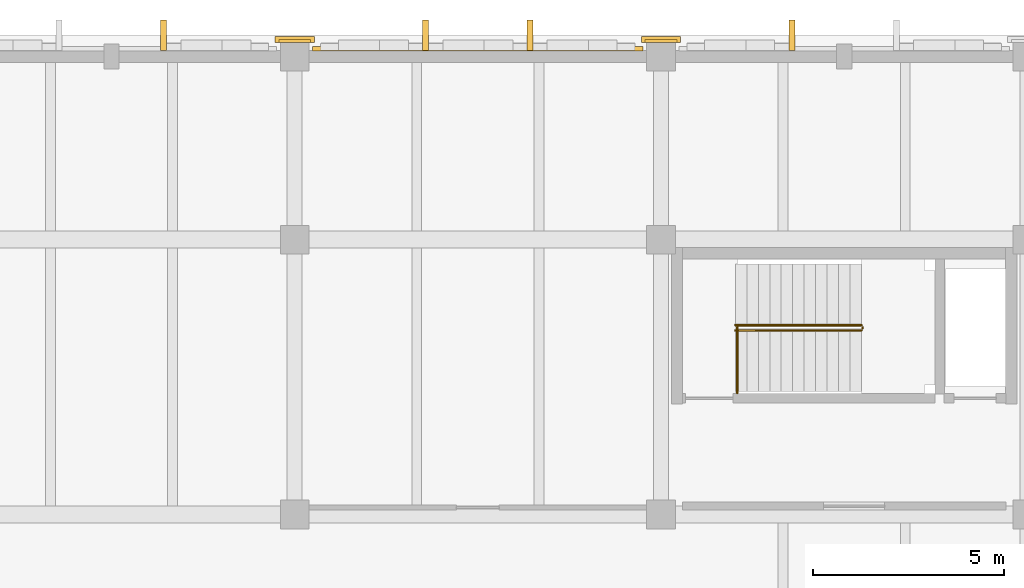
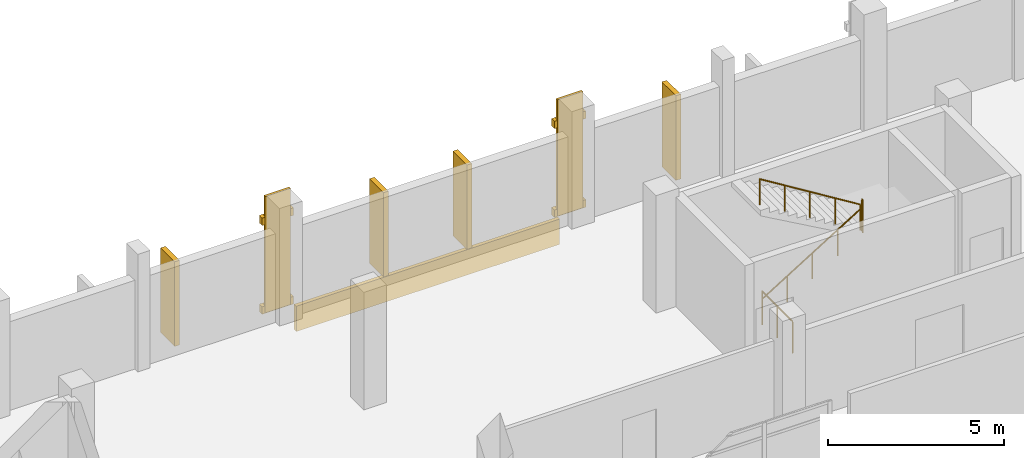
# One storey, part 172 of 180: 11 coverings, 4 railings.
"""IFC4 building model written with IfcOpenShell, lengths in metres."""

from ifc_helpers import new_model, si_unit, direction, frame, origin, origin_2d, place, context, subcontext, project, spatial, rectangle, circle, extrude, material, layer, layer_set, type_object, element, save


model = new_model("IFC4")

# Units and contexts
model_context = context("Model", 3, precision=1e-05, world=origin(), true_north=direction((0.0, 1.0)))
body_context = subcontext(model_context, "Body", "Model", "MODEL_VIEW")
ifc_project = project(units=[si_unit("LENGTHUNIT", "METRE"), si_unit("AREAUNIT", "SQUARE_METRE"), si_unit("VOLUMEUNIT", "CUBIC_METRE"), si_unit("PLANEANGLEUNIT", "RADIAN"), si_unit("MASSUNIT", "GRAM", prefix="KILO")], contexts=[model_context])

# Site, building, storey
site_placement = place(None, origin())
site = spatial("IfcSite", under=ifc_project, at=site_placement, CompositionType="ELEMENT")
building_placement = place(site_placement, origin())
building = spatial("IfcBuilding", under=site, at=building_placement, Name="Asteropetra Specialist Clinic", CompositionType="ELEMENT")
storey_placement = place(building_placement, frame((0.0, 0.0, 4.419921875)))
storey = spatial("IfcBuildingStorey", under=building, at=storey_placement, Name="L01", CompositionType="ELEMENT", Elevation=4.419921875)

# Coverings
ifc_material_1 = material(Name="Chevron terracotta deep", Category="masonry")
ifc_layer_1 = layer(ifc_material_1, 0.1201171875)
ifc_layer_set_1 = layer_set([ifc_layer_1], Name="Chevron terracotta deep")
covering_type_1 = type_object("IfcCoveringType", Name="CLD-TER-DEEP", PredefinedType="CLADDING", material=ifc_layer_set_1)
covering_1_placement = place(storey_placement, frame((24.0, 110.60009765625, -0.7998046875), z_axis=(0.0, 0.0, 1.0), x_axis=(1.0, 0.0, 0.0)))
element("IfcCovering", 1, at=covering_1_placement, inside=storey, type_object=covering_type_1, Name="Chevron Spandrel Band CV-1411", PredefinedType="CLADDING", context=body_context, shape_type="SweptSolid", body=[
    extrude(rectangle(XDim=8.64990234375, YDim=0.1201171875, at=origin_2d()), origin(), (0.0, 0.0, 1.0), 0.8798828125),
])
ifc_material_2 = material(Name="Pentelic marble ashlar", Category="masonry")
ifc_layer_2 = layer(ifc_material_2, 0.159912109375)
ifc_layer_set_2 = layer_set([ifc_layer_2], Name="Pentelic marble ashlar")
covering_type_2 = type_object("IfcCoveringType", Name="CRN-ENTAB-600", PredefinedType="MOLDING", material=ifc_layer_set_2)
covering_2_placement = place(storey_placement, frame((19.199951171875, 110.806884765625, 0.02001953125), z_axis=(0.0, 0.0, 1.0), x_axis=(1.0, 0.0, 0.0)))
element("IfcCovering", 2, at=covering_2_placement, inside=storey, type_object=covering_type_2, Name="Neoclassical Pilaster Facing CM-0589", PredefinedType="MOLDING", context=body_context, shape_type="SweptSolid", body=[
    extrude(rectangle(XDim=0.830078125, YDim=0.080078125, at=origin_2d()), origin(), (0.0, 0.0, 1.0), 4.0400390625),
])
for number, where, z_axis, x_axis, name in (
    (3, (19.199951171875, 110.846923828125, 0.01025390625), (0.0, 0.0, 1.0), (1.0, 0.0, 0.0), "Doric Base CC-0590"),
    (4, (19.199951171875, 110.846923828125, 3.08984375), (0.0, 0.0, 1.0), (1.0, 0.0, 0.0), "Doric Capital CC-0591"),
):
    element("IfcCovering", number, at=place(storey_placement, frame(where, z_axis=z_axis, x_axis=x_axis)), inside=storey, type_object=covering_type_2, Name=name, PredefinedType="MOLDING", context=body_context, shape_type="SweptSolid", body=[
        extrude(rectangle(XDim=1.030029296875, YDim=0.159912109375, at=origin_2d()), origin(), (0.0, 0.0, 1.0), 0.260009765625),
    ])
covering_3_placement = place(storey_placement, frame((28.800048828125, 110.806884765625, 0.02001953125), z_axis=(0.0, 0.0, 1.0), x_axis=(1.0, 0.0, 0.0)))
element("IfcCovering", 5, at=covering_3_placement, inside=storey, type_object=covering_type_2, Name="Neoclassical Pilaster Facing CM-0595", PredefinedType="MOLDING", context=body_context, shape_type="SweptSolid", body=[
    extrude(rectangle(XDim=0.830078125, YDim=0.080078125, at=origin_2d()), origin(), (0.0, 0.0, 1.0), 4.0400390625),
])
for number, where, z_axis, x_axis, name in (
    (6, (28.800048828125, 110.846923828125, 0.01025390625), (0.0, 0.0, 1.0), (1.0, 0.0, 0.0), "Doric Base CC-0596"),
    (7, (28.800048828125, 110.846923828125, 3.08984375), (0.0, 0.0, 1.0), (1.0, 0.0, 0.0), "Doric Capital CC-0597"),
):
    element("IfcCovering", number, at=place(storey_placement, frame(where, z_axis=z_axis, x_axis=x_axis)), inside=storey, type_object=covering_type_2, Name=name, PredefinedType="MOLDING", context=body_context, shape_type="SweptSolid", body=[
        extrude(rectangle(XDim=1.030029296875, YDim=0.159912109375, at=origin_2d()), origin(), (0.0, 0.0, 1.0), 0.260009765625),
    ])
ifc_material_3 = material(Name="Pentelic marble solar fin", Category="masonry")
ifc_layer_3 = layer(ifc_material_3, 0.080078125)
ifc_layer_set_3 = layer_set([ifc_layer_3], Name="Pentelic marble solar fin")
covering_type_3 = type_object("IfcCoveringType", Name="FIN-SOLAR-800", PredefinedType="MOLDING", material=ifc_layer_set_3)
for number, where, z_axis, x_axis, name in (
    (8, (15.768310546875, 110.955078125, 0.070068359375), (0.0, 0.0, 1.0), (1.0, 0.0, 0.0), "Solar Shading Fin FN-0012"),
    (9, (25.368408203125, 110.955078125, 0.070068359375), (0.0, 0.0, 1.0), (1.0, 0.0, 0.0), "Solar Shading Fin FN-0014"),
    (10, (22.631591796875, 110.955078125, 0.070068359375), (0.0, 0.0, 1.0), (1.0, 0.0, 0.0), "Solar Shading Fin FN-0015"),
    (11, (32.231689453125, 110.955078125, 0.070068359375), (0.0, 0.0, 1.0), (1.0, 0.0, 0.0), "Solar Shading Fin FN-0019"),
):
    element("IfcCovering", number, at=place(storey_placement, frame(where, z_axis=z_axis, x_axis=x_axis)), inside=storey, type_object=covering_type_3, Name=name, PredefinedType="MOLDING", context=body_context, shape_type="SweptSolid", body=[
        extrude(rectangle(XDim=0.159912109375, YDim=0.800048828125, at=origin_2d()), origin(), (0.0, 0.0, 1.0), 2.93994140625),
    ])

# Railings
ifc_material_4 = material(Name="Steel S355 and laminated glass guard", Category="steel")
railing_type_1 = type_object("IfcRailingType", Name="GRD-INT-1120", PredefinedType="GUARDRAIL", material=ifc_material_4)
railing_1_placement = place(storey_placement, frame((30.800048828125, 101.580078125, 0.0)))
element("IfcRailing", 12, at=railing_1_placement, inside=storey, type_object=railing_type_1, Name="Stair Well Guard ST02-L00", PredefinedType="GUARDRAIL", context=body_context, shape_type="SweptSolid", body=[
    extrude(circle(Radius=0.02392578125, at=origin_2d()), frame((0.0, 0.0, 1.09619140625), z_axis=(0.0, 1.0, 0.0), x_axis=(-1.0, 0.0, 0.0)), (0.0, 0.0, 1.0), 1.72998046875),
    extrude(circle(Radius=0.02099609375, at=origin_2d()), origin(), (0.0, 0.0, 1.0), 1.072021484375),
    extrude(circle(Radius=0.02099609375, at=origin_2d()), frame((0.0, 0.864990234375, 0.0)), (0.0, 0.0, 1.0), 1.072021484375),
    extrude(circle(Radius=0.02099609375, at=origin_2d()), frame((0.0, 1.72998046875, 0.0)), (0.0, 0.0, 1.0), 1.072021484375),
])
railing_2_placement = place(storey_placement, frame((34.080078125, 103.27001953125, 2.0400390625)))
element("IfcRailing", 13, at=railing_2_placement, inside=storey, type_object=railing_type_1, Name="Landing Slot Guard ST02-L01", PredefinedType="GUARDRAIL", context=body_context, shape_type="SweptSolid", body=[
    extrude(circle(Radius=0.02392578125, at=origin_2d()), frame((0.0, 0.0, 1.09619140625), z_axis=(0.0, 1.0, 0.0), x_axis=(-1.0, 0.0, 0.0)), (0.0, 0.0, 1.0), 0.0400390625),
    extrude(circle(Radius=0.02099609375, at=origin_2d()), origin(), (0.0, 0.0, 1.0), 1.072021484375),
    extrude(circle(Radius=0.02099609375, at=origin_2d()), frame((0.0, 0.0400390625, 0.0)), (0.0, 0.0, 1.0), 1.072021484375),
])
ifc_material_5 = material(Name="Brushed stainless steel handrail", Category="steel")
railing_type_2 = type_object("IfcRailingType", Name="HRL-STAIR-920", PredefinedType="HANDRAIL", material=ifc_material_5)
railing_3_placement = place(storey_placement, frame((30.75, 103.219970703125, 0.0)))
element("IfcRailing", 14, at=railing_3_placement, inside=storey, type_object=railing_type_2, Name="Stair Handrail ST02-L01 F1", PredefinedType="HANDRAIL", context=body_context, shape_type="SweptSolid", body=[
    extrude(circle(Radius=0.02392578125, at=origin_2d()), frame((0.0, 0.0, 0.89599609375), z_axis=(0.850593546085, 0.0, 0.525823753132), x_axis=(0.0, 1.0, 0.0)), (0.0, 0.0, 1.0), 3.879638671875),
    extrude(circle(Radius=0.02099609375, at=origin_2d()), origin(), (0.0, 0.0, 1.0), 0.871826171875),
    extrude(circle(Radius=0.02099609375, at=origin_2d()), frame((0.824951171875, 0.0, 0.510009765625)), (0.0, 0.0, 1.0), 0.871826171875),
    extrude(circle(Radius=0.02099609375, at=origin_2d()), frame((1.64990234375, 0.0, 1.02001953125)), (0.0, 0.0, 1.0), 0.871826171875),
    extrude(circle(Radius=0.02099609375, at=origin_2d()), frame((2.47509765625, 0.0, 1.530029296875)), (0.0, 0.0, 1.0), 0.871826171875),
    extrude(circle(Radius=0.02099609375, at=origin_2d()), frame((3.300048828125, 0.0, 2.0400390625)), (0.0, 0.0, 1.0), 0.871826171875),
])
railing_4_placement = place(storey_placement, frame((34.050048828125, 103.360107421875, 2.0400390625)))
element("IfcRailing", 15, at=railing_4_placement, inside=storey, type_object=railing_type_2, Name="Stair Handrail ST02-L01 F2", PredefinedType="HANDRAIL", context=body_context, shape_type="SweptSolid", body=[
    extrude(circle(Radius=0.02392578125, at=origin_2d()), frame((0.0, 0.0, 0.89599609375), z_axis=(-0.850593546085, 0.0, 0.525823753132), x_axis=(0.0, -1.0, 0.0)), (0.0, 0.0, 1.0), 3.879638671875),
    extrude(circle(Radius=0.02099609375, at=origin_2d()), origin(), (0.0, 0.0, 1.0), 0.871826171875),
    extrude(circle(Radius=0.02099609375, at=origin_2d()), frame((-0.824951171875, 0.0, 0.510009765625)), (0.0, 0.0, 1.0), 0.871826171875),
    extrude(circle(Radius=0.02099609375, at=origin_2d()), frame((-1.64990234375, 0.0, 1.02001953125)), (0.0, 0.0, 1.0), 0.871826171875),
    extrude(circle(Radius=0.02099609375, at=origin_2d()), frame((-2.47509765625, 0.0, 1.530029296875)), (0.0, 0.0, 1.0), 0.871826171875),
    extrude(circle(Radius=0.02099609375, at=origin_2d()), frame((-3.300048828125, 0.0, 2.0400390625)), (0.0, 0.0, 1.0), 0.871826171875),
])

save(model, "model.ifc")
